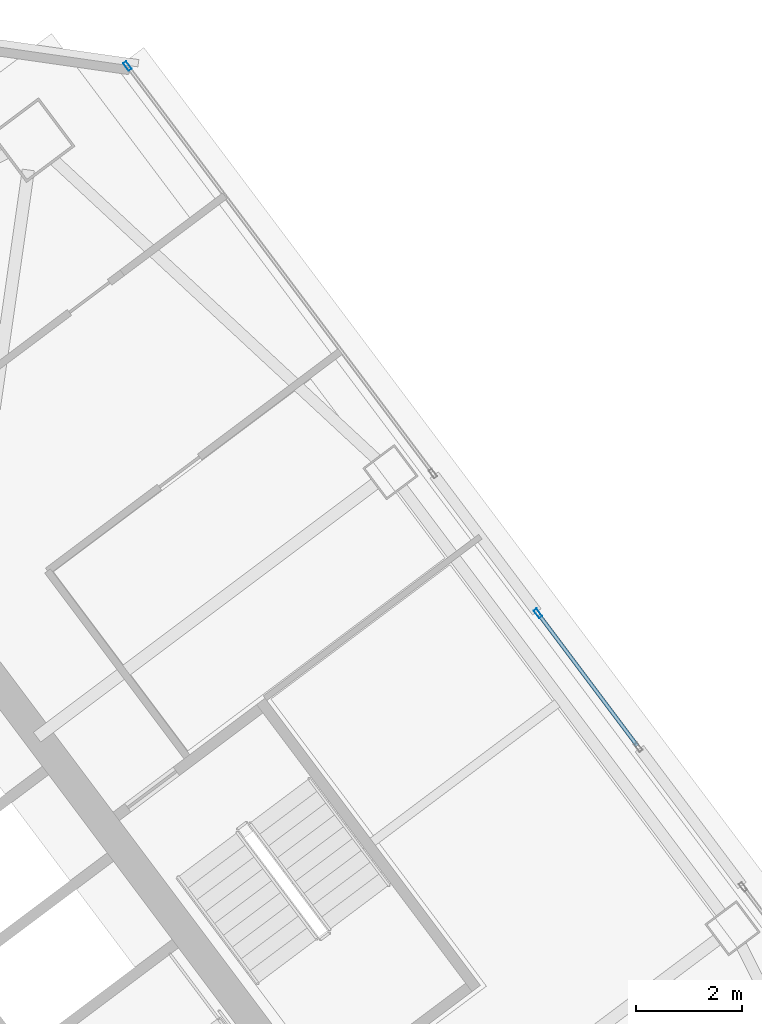
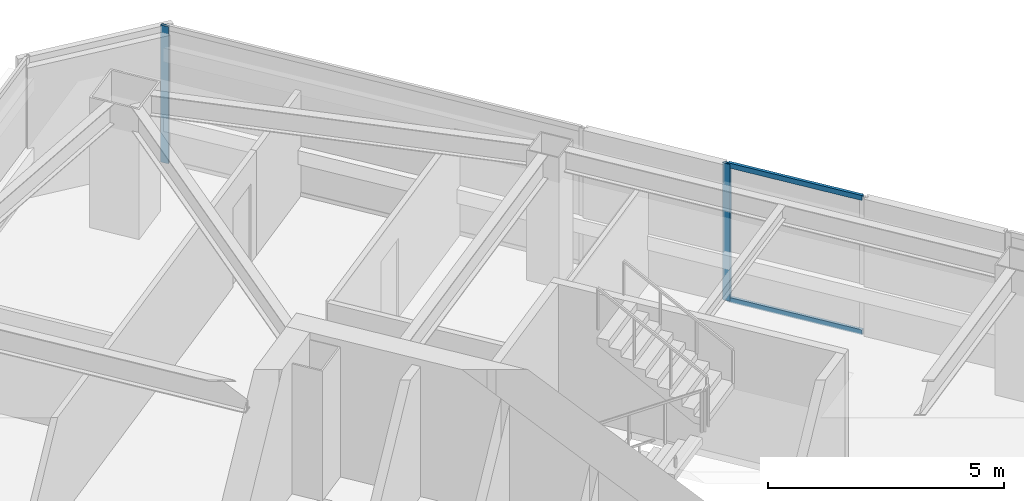
# One storey, part 30 of 43: 4 members, 2 elements without a shape of their own.
"""IFC4 building model written with IfcOpenShell, lengths in metres."""

from ifc_helpers import new_model, si_unit, direction, frame, origin, origin_2d, place, context, subcontext, project, spatial, hollow_rectangle, extrude, material, material_profile, profile_set, type_object, element, aggregate, save


model = new_model("IFC4")

# Units and contexts
model_context = context("Model", 3, precision=1e-05, world=origin(), true_north=direction((0.0, 1.0)))
body_context = subcontext(model_context, "Body", "Model", "MODEL_VIEW")
ifc_project = project(units=[si_unit("LENGTHUNIT", "METRE"), si_unit("AREAUNIT", "SQUARE_METRE"), si_unit("VOLUMEUNIT", "CUBIC_METRE"), si_unit("PLANEANGLEUNIT", "RADIAN"), si_unit("MASSUNIT", "GRAM", prefix="KILO")], contexts=[model_context])

# Site, building, storey
site_placement = place(None, origin())
site = spatial("IfcSite", under=ifc_project, at=site_placement, CompositionType="ELEMENT")
building_placement = place(site_placement, origin())
building = spatial("IfcBuilding", under=site, at=building_placement, Name="Tashvorn Skyway Center", CompositionType="ELEMENT")
storey_placement = place(building_placement, frame((0.0, 0.0, 188.949951171875)))
storey = spatial("IfcBuildingStorey", under=building, at=storey_placement, Name="L51", CompositionType="ELEMENT", Elevation=188.949951171875)

# Curtain wall, member
ifc_material = material(Name="Thermally broken bronze-anodized aluminium 6063-T6", Category="aluminium")
curtain_wall_type = type_object("IfcCurtainWallType", Name="CW-CW-Z4", PredefinedType="NOTDEFINED", material=ifc_material)
curtain_wall_1_placement = place(storey_placement, origin())
curtain_wall_1 = element("IfcCurtainWall", 1, at=curtain_wall_1_placement, inside=storey, type_object=curtain_wall_type, Name="Tower 2 L51 East Unitised Curtain Wall Glazing Group 1", PredefinedType="NOTDEFINED")
ifc_material_profile_1 = material_profile(ifc_material, hollow_rectangle(XDim=0.070068359375, YDim=0.179931640625, WallThickness=0.00390625, at=origin_2d()), Name="ALU-MULL-70x180")
ifc_profile_set_1 = profile_set([ifc_material_profile_1], Name="Thermally broken bronze-anodized aluminium 6063-T6")
member_type_1 = type_object("IfcMemberType", Name="CWM-CW-Z4", PredefinedType="MULLION", material=ifc_profile_set_1)
member_1_placement = place(storey_placement, frame((118.697021484375, 53.7041015625, 0.0), z_axis=(0.0, 0.0, 1.0), x_axis=(0.799999999998, 0.600000000002, 0.0)))
member_1 = element("IfcMember", 2, at=member_1_placement, type_object=member_type_1, Name="CW-Z4 mullion 1", PredefinedType="MULLION", context=body_context, shape_type="SweptSolid", body=[
    extrude(hollow_rectangle(XDim=0.070068359375, YDim=0.179931640625, WallThickness=0.00390625, at=origin_2d()), origin(), (0.0, 0.0, 1.0), 3.550048828125),
])
aggregate(curtain_wall_1, [member_1])

# Curtain wall, members
curtain_wall_2_placement = place(storey_placement, origin())
curtain_wall_2 = element("IfcCurtainWall", 3, at=curtain_wall_2_placement, inside=storey, type_object=curtain_wall_type, Name="Tower 2 L51 East Unitised Curtain Wall Glazing Group 2", PredefinedType="NOTDEFINED")
member_2_placement = place(storey_placement, frame((126.472900390625, 43.3359375, 0.0), z_axis=(0.0, 0.0, 1.0), x_axis=(0.799999999998, 0.600000000002, 0.0)))
member_2 = element("IfcMember", 4, at=member_2_placement, type_object=member_type_1, Name="CW-Z4 mullion 1", PredefinedType="MULLION", context=body_context, shape_type="SweptSolid", body=[
    extrude(hollow_rectangle(XDim=0.070068359375, YDim=0.179931640625, WallThickness=0.00390625, at=origin_2d()), origin(), (0.0, 0.0, 1.0), 3.550048828125),
])
ifc_material_profile_2 = material_profile(ifc_material, hollow_rectangle(XDim=0.070068359375, YDim=0.1298828125, WallThickness=0.00390625, at=origin_2d()), Name="ALU-TRAN-70x130")
ifc_profile_set_2 = profile_set([ifc_material_profile_2], Name="Thermally broken bronze-anodized aluminium 6063-T6")
member_type_2 = type_object("IfcMemberType", Name="CWT-CW-Z4", PredefinedType="USERDEFINED", material=ifc_profile_set_2)
member_3_placement = place(storey_placement, frame((126.493896484375, 43.30810546875, 0.03515625), z_axis=(0.599987400111, -0.800009449761, 0.0), x_axis=(0.800009449761, 0.599987400111, 0.0)))
member_3 = element("IfcMember", 5, at=member_3_placement, type_object=member_type_2, Name="CW-Z4 transom 1.1", ObjectType="TRANSOM", PredefinedType="USERDEFINED", context=body_context, shape_type="SweptSolid", body=[
    extrude(hollow_rectangle(XDim=0.070068359375, YDim=0.1298828125, WallThickness=0.00390625, at=origin_2d()), origin(), (0.0, 0.0, 1.0), 3.100341796875),
])
member_4_placement = place(storey_placement, frame((126.493896484375, 43.30810546875, 3.51513671875), z_axis=(0.599987400111, -0.800009449761, 0.0), x_axis=(0.800009449761, 0.599987400111, 0.0)))
member_4 = element("IfcMember", 6, at=member_4_placement, type_object=member_type_2, Name="CW-Z4 transom 1.2", ObjectType="TRANSOM", PredefinedType="USERDEFINED", context=body_context, shape_type="SweptSolid", body=[
    extrude(hollow_rectangle(XDim=0.070068359375, YDim=0.1298828125, WallThickness=0.00390625, at=origin_2d()), origin(), (0.0, 0.0, 1.0), 3.100341796875),
])
aggregate(curtain_wall_2, [member_2, member_3, member_4])

save(model, "model.ifc")
